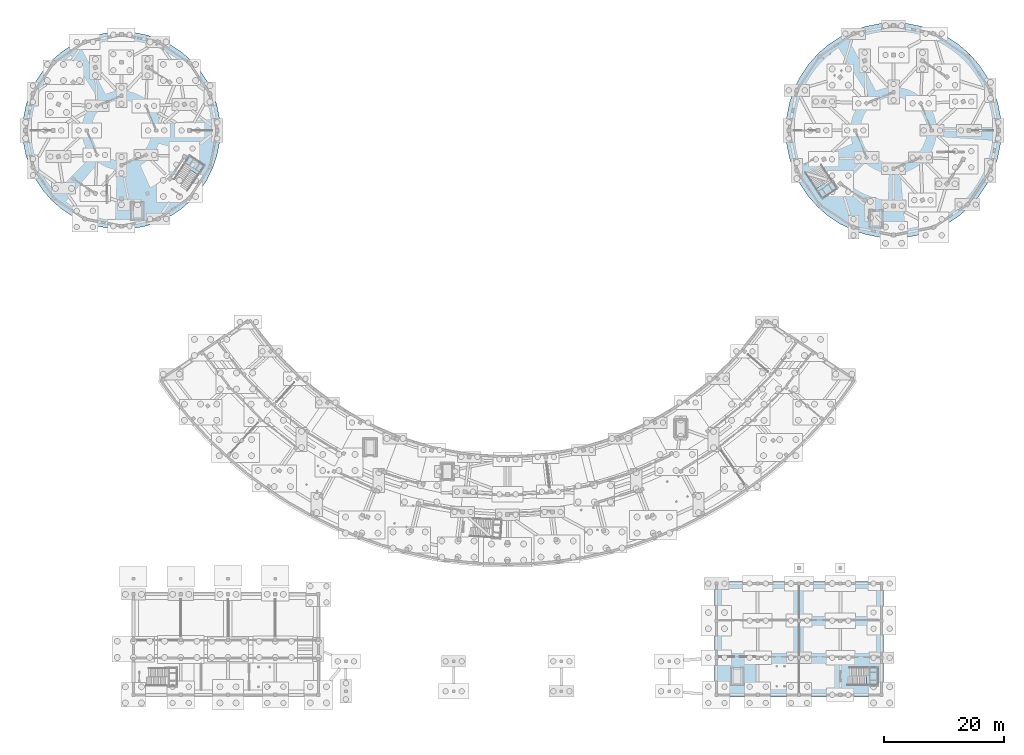
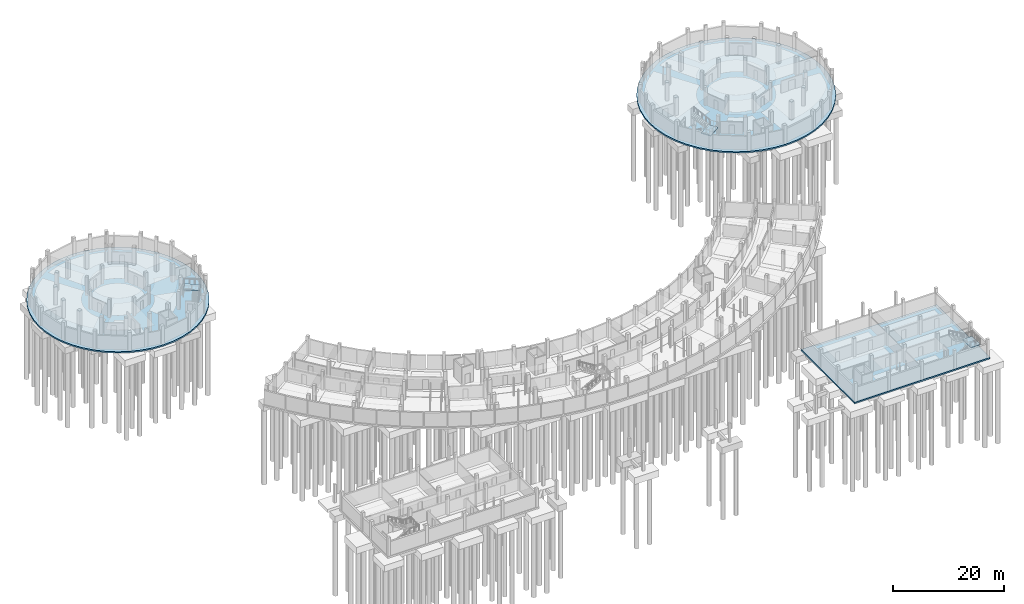
# One storey, part 34 of 58: 6 slabs, 3 elements without a shape of their own.
"""IFC4 building model written with IfcOpenShell, lengths in metres."""

from ifc_helpers import new_model, si_unit, direction, frame, origin, place, context, subcontext, project, spatial, polyline, outline, extrude, material, layer, layer_set, type_object, element, aggregate, save


model = new_model("IFC4")

# Units and contexts
model_context = context("Model", 3, precision=1e-05, world=origin(), true_north=direction((0.0, 1.0)))
body_context = subcontext(model_context, "Body", "Model", "MODEL_VIEW")
ifc_project = project(units=[si_unit("LENGTHUNIT", "METRE"), si_unit("AREAUNIT", "SQUARE_METRE"), si_unit("VOLUMEUNIT", "CUBIC_METRE"), si_unit("PLANEANGLEUNIT", "RADIAN"), si_unit("MASSUNIT", "GRAM", prefix="KILO")], contexts=[model_context])

# Site, building, storey
site_placement = place(None, origin())
site = spatial("IfcSite", under=ifc_project, at=site_placement, CompositionType="ELEMENT")
building_placement = place(site_placement, origin())
building = spatial("IfcBuilding", under=site, at=building_placement, Name="Caldaven Crescent School", CompositionType="ELEMENT")
storey_placement = place(building_placement, frame((0.0, 0.0, -4.080078125)))
storey = spatial("IfcBuildingStorey", under=building, at=storey_placement, Name="B1", CompositionType="ELEMENT", Elevation=-4.080078125)

# Slabs
ifc_material_1 = material(Name="Concrete C30/37", Category="concrete")
ifc_layer_1 = layer(ifc_material_1, 0.300048828125)
ifc_layer_set_1 = layer_set([ifc_layer_1], Name="Concrete C30/37")
slab_type_1 = type_object("IfcSlabType", Name="SLB-BS1", PredefinedType="BASESLAB", material=ifc_layer_set_1)
slab_1_placement = place(storey_placement, frame((0.0, 0.0, -0.2998046875)))
element("IfcSlab", 1, at=slab_1_placement, inside=storey, type_object=slab_type_1, Name="SLB-V1-B1", PredefinedType="BASESLAB", context=body_context, shape_type="SweptSolid", body=[
    extrude(outline(polyline([(170.5, 98.5), (170.345947265625, 100.849365234375), (169.88671875, 103.15869140625), (169.1298828125, 105.38818359375), (168.08837890625, 107.5), (166.7802734375, 109.457763671875), (165.22802734375, 111.22802734375), (163.457763671875, 112.7802734375), (161.5, 114.08837890625), (159.38818359375, 115.1298828125), (157.15869140625, 115.88671875), (154.849365234375, 116.345947265625), (152.5, 116.5), (150.150634765625, 116.345947265625), (147.84130859375, 115.88671875), (145.61181640625, 115.1298828125), (143.5, 114.08837890625), (141.542236328125, 112.7802734375), (139.77197265625, 111.22802734375), (138.2197265625, 109.457763671875), (136.91162109375, 107.5), (135.8701171875, 105.38818359375), (135.11328125, 103.15869140625), (134.654052734375, 100.849365234375), (134.5, 98.5), (134.654052734375, 96.150634765625), (135.11328125, 93.84130859375), (135.8701171875, 91.61181640625), (136.91162109375, 89.5), (138.2197265625, 87.542236328125), (139.77197265625, 85.77197265625), (141.542236328125, 84.2197265625), (143.5, 82.91162109375), (145.61181640625, 81.8701171875), (147.84130859375, 81.11328125), (150.150634765625, 80.654052734375), (152.5, 80.5), (154.849365234375, 80.654052734375), (157.15869140625, 81.11328125), (159.38818359375, 81.8701171875), (161.5, 82.91162109375), (163.457763671875, 84.2197265625), (165.22802734375, 85.77197265625), (166.7802734375, 87.542236328125), (168.08837890625, 89.5), (169.1298828125, 91.61181640625), (169.88671875, 93.84130859375), (170.345947265625, 96.150634765625), (170.5, 98.5)])), origin(), (0.0, 0.0, 1.0), 0.2998046875),
])
slab_2_placement = place(storey_placement, frame((0.0, 0.0, -0.2998046875)))
element("IfcSlab", 2, at=slab_2_placement, inside=storey, type_object=slab_type_1, Name="SLB-V2-B1", PredefinedType="BASESLAB", context=body_context, shape_type="SweptSolid", body=[
    extrude(outline(polyline([(40.0, 98.5), (39.85888671875, 100.653564453125), (39.437744140625, 102.7705078125), (38.743896484375, 104.814208984375), (37.789306640625, 106.75), (36.59033203125, 108.544677734375), (35.167236328125, 110.167236328125), (33.544677734375, 111.59033203125), (31.75, 112.789306640625), (29.814208984375, 113.743896484375), (27.7705078125, 114.437744140625), (25.653564453125, 114.85888671875), (23.5, 115.0), (21.346435546875, 114.85888671875), (19.2294921875, 114.437744140625), (17.185791015625, 113.743896484375), (15.25, 112.789306640625), (13.455322265625, 111.59033203125), (11.832763671875, 110.167236328125), (10.40966796875, 108.544677734375), (9.210693359375, 106.75), (8.256103515625, 104.814208984375), (7.562255859375, 102.7705078125), (7.14111328125, 100.653564453125), (7.0, 98.5), (7.14111328125, 96.346435546875), (7.562255859375, 94.2294921875), (8.256103515625, 92.185791015625), (9.210693359375, 90.25), (10.40966796875, 88.455322265625), (11.832763671875, 86.832763671875), (13.455322265625, 85.40966796875), (15.25, 84.210693359375), (17.185791015625, 83.256103515625), (19.2294921875, 82.562255859375), (21.346435546875, 82.14111328125), (23.5, 82.0), (25.653564453125, 82.14111328125), (27.7705078125, 82.562255859375), (29.814208984375, 83.256103515625), (31.75, 84.210693359375), (33.544677734375, 85.40966796875), (35.167236328125, 86.832763671875), (36.59033203125, 88.455322265625), (37.789306640625, 90.25), (38.743896484375, 92.185791015625), (39.437744140625, 94.2294921875), (39.85888671875, 96.346435546875), (40.0, 98.5)])), origin(), (0.0, 0.0, 1.0), 0.2998046875),
])
slab_3_placement = place(storey_placement, frame((0.0, 0.0, -0.2998046875)))
element("IfcSlab", 3, at=slab_3_placement, inside=storey, type_object=slab_type_1, Name="SLB-V3-B1", PredefinedType="BASESLAB", context=body_context, shape_type="SweptSolid", body=[
    extrude(outline(polyline([(122.550048828125, 3.85009765625), (150.85009765625, 3.85009765625), (150.85009765625, 23.14990234375), (122.550048828125, 23.14990234375), (122.550048828125, 3.85009765625)])), origin(), (0.0, 0.0, 1.0), 0.2998046875),
])

# Stair, slab
ifc_material_2 = material(Name="Precast concrete C30/37", Category="concrete")
stair_type = type_object("IfcStairType", Name="STR-S1", PredefinedType="TWO_STRAIGHT_RUN_STAIR", material=ifc_material_2)
stair_1_placement = place(storey_placement, origin())
stair_1 = element("IfcStair", 4, at=stair_1_placement, inside=storey, type_object=stair_type, Name="STAIR-STB1-B1", PredefinedType="TWO_STRAIGHT_RUN_STAIR")
ifc_layer_2 = layer(ifc_material_1, 0.179931640625)
ifc_layer_set_2 = layer_set([ifc_layer_2], Name="Concrete C30/37")
slab_type_2 = type_object("IfcSlabType", Name="SLB-LND1", PredefinedType="LANDING", material=ifc_layer_set_2)
slab_4_placement = place(storey_placement, frame((0.0, 0.0, 1.860107421875)))
slab_4 = element("IfcSlab", 5, at=slab_4_placement, type_object=slab_type_2, Name="STB1-B1 landing 1", PredefinedType="LANDING", context=body_context, shape_type="SweptSolid", body=[
    extrude(outline(polyline([(36.315185546875, 91.02197265625), (37.419677734375, 92.675048828125), (34.90869140625, 94.352783203125), (33.80419921875, 92.69970703125), (36.315185546875, 91.02197265625)])), origin(), (0.0, 0.0, 1.0), 0.179931640625),
])
aggregate(stair_1, [slab_4])

stair_2_placement = place(storey_placement, origin())
stair_2 = element("IfcStair", 6, at=stair_2_placement, inside=storey, type_object=stair_type, Name="STAIR-STB4-B1", PredefinedType="TWO_STRAIGHT_RUN_STAIR")
slab_5_placement = place(storey_placement, frame((0.0, 0.0, 1.860107421875)))
slab_5 = element("IfcSlab", 7, at=slab_5_placement, type_object=slab_type_2, Name="STB4-B1 landing 1", PredefinedType="LANDING", context=body_context, shape_type="SweptSolid", body=[
    extrude(outline(polyline([(147.951904296875, 5.7900390625), (149.93994140625, 5.7900390625), (149.93994140625, 8.81005859375), (147.951904296875, 8.81005859375), (147.951904296875, 5.7900390625)])), origin(), (0.0, 0.0, 1.0), 0.179931640625),
])
aggregate(stair_2, [slab_5])

stair_3_placement = place(storey_placement, origin())
stair_3 = element("IfcStair", 8, at=stair_3_placement, inside=storey, type_object=stair_type, Name="STAIR-STB5-B1", PredefinedType="TWO_STRAIGHT_RUN_STAIR")
slab_6_placement = place(storey_placement, frame((0.0, 0.0, 1.860107421875)))
slab_6 = element("IfcSlab", 9, at=slab_6_placement, type_object=slab_type_2, Name="STB5-B1 landing 1", PredefinedType="LANDING", context=body_context, shape_type="SweptSolid", body=[
    extrude(outline(polyline([(139.52294921875, 88.744140625), (140.62744140625, 87.09130859375), (143.138427734375, 88.76904296875), (142.033935546875, 90.422119140625), (139.52294921875, 88.744140625)])), origin(), (0.0, 0.0, 1.0), 0.179931640625),
])
aggregate(stair_3, [slab_6])

save(model, "model.ifc")
